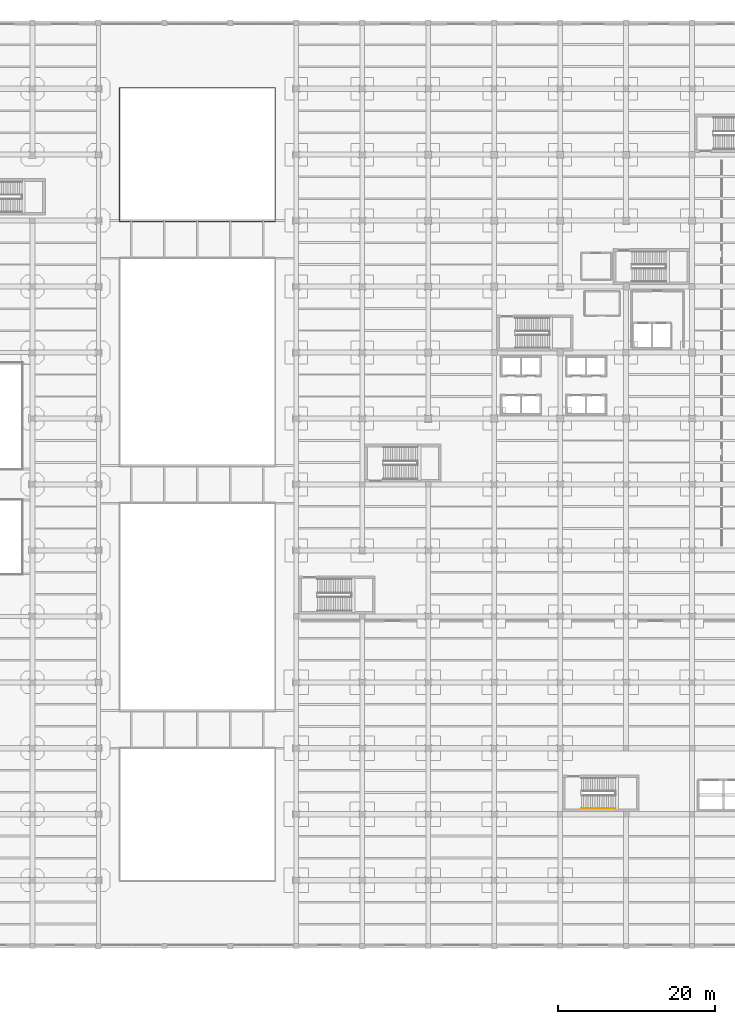
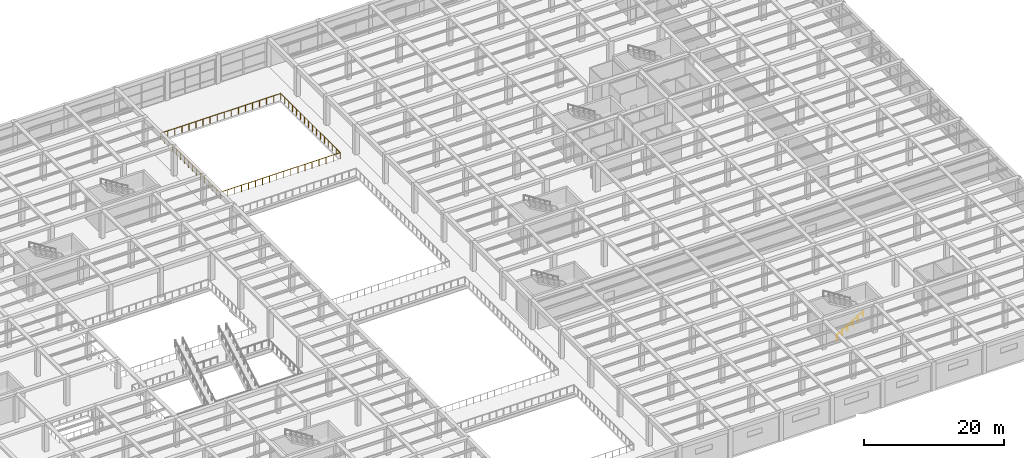
# One storey, part 62 of 65: 2 railings.
"""IFC4 building model written with IfcOpenShell, lengths in metres."""

from ifc_helpers import new_model, si_unit, direction, frame, origin, origin_2d, place, context, subcontext, project, spatial, circle, extrude, material, type_object, element, save


model = new_model("IFC4")

# Units and contexts
model_context = context("Model", 3, precision=1e-05, world=origin(), true_north=direction((0.0, 1.0)))
body_context = subcontext(model_context, "Body", "Model", "MODEL_VIEW")
ifc_project = project(units=[si_unit("LENGTHUNIT", "METRE"), si_unit("AREAUNIT", "SQUARE_METRE"), si_unit("VOLUMEUNIT", "CUBIC_METRE"), si_unit("PLANEANGLEUNIT", "RADIAN"), si_unit("MASSUNIT", "GRAM", prefix="KILO")], contexts=[model_context])

# Site, building, storey
site_placement = place(None, origin())
site = spatial("IfcSite", under=ifc_project, at=site_placement, CompositionType="ELEMENT")
building_placement = place(site_placement, origin())
building = spatial("IfcBuilding", under=site, at=building_placement, Name="Almacenes y Pasaje Nevantli", CompositionType="ELEMENT")
storey_placement = place(building_placement, frame((0.0, 0.0, 16.800048828125)))
storey = spatial("IfcBuildingStorey", under=building, at=storey_placement, Name="L04", CompositionType="ELEMENT", Elevation=16.800048828125)

# Railings
ifc_material_1 = material(Name="Brushed Stainless Steel and Tempered Safety Glass", Category="steel")
railing_type_1 = type_object("IfcRailingType", Name="RL-GUARD-1100", PredefinedType="BALUSTRADE", material=ifc_material_1)
railing_1_placement = place(storey_placement, frame((69.8798828125, 92.280029296875, 0.0)))
element("IfcRailing", 1, at=railing_1_placement, inside=storey, type_object=railing_type_1, Name="L04 Arcade Galleria Void VOID-ARC-4 Guard Balustrade", PredefinedType="BALUSTRADE", context=body_context, shape_type="SweptSolid", body=[
    extrude(circle(Radius=0.02392578125, at=origin_2d()), frame((0.030029296875, 0.0, 1.1259765625), z_axis=(1.0, 0.0, 0.0), x_axis=(0.0, 1.0, 0.0)), (0.0, 0.0, 1.0), 19.780029296875),
    extrude(circle(Radius=0.02392578125, at=origin_2d()), frame((19.840087890625, 0.030029296875, 1.1259765625), z_axis=(0.0, 1.0, 0.0), x_axis=(-1.0, 0.0, 0.0)), (0.0, 0.0, 1.0), 16.97998046875),
    extrude(circle(Radius=0.02392578125, at=origin_2d()), frame((19.81005859375, 17.0400390625, 1.1259765625), z_axis=(-1.0, 0.0, 0.0), x_axis=(0.0, -1.0, 0.0)), (0.0, 0.0, 1.0), 19.780029296875),
    extrude(circle(Radius=0.02392578125, at=origin_2d()), frame((0.0, 17.010009765625, 1.1259765625), z_axis=(0.0, -1.0, 0.0), x_axis=(1.0, 0.0, 0.0)), (0.0, 0.0, 1.0), 16.97998046875),
    extrude(circle(Radius=0.02099609375, at=origin_2d()), origin(), (0.0, 0.0, 1.0), 1.096923828125),
    extrude(circle(Radius=0.02099609375, at=origin_2d()), frame((1.1669921875, 0.0, 0.0)), (0.0, 0.0, 1.0), 1.096923828125),
    extrude(circle(Radius=0.02099609375, at=origin_2d()), frame((2.334228515625, 0.0, 0.0)), (0.0, 0.0, 1.0), 1.096923828125),
    extrude(circle(Radius=0.02099609375, at=origin_2d()), frame((3.501220703125, 0.0, 0.0)), (0.0, 0.0, 1.0), 1.096923828125),
    extrude(circle(Radius=0.02099609375, at=origin_2d()), frame((4.668212890625, 0.0, 0.0)), (0.0, 0.0, 1.0), 1.096923828125),
    extrude(circle(Radius=0.02099609375, at=origin_2d()), frame((5.835205078125, 0.0, 0.0)), (0.0, 0.0, 1.0), 1.096923828125),
    extrude(circle(Radius=0.02099609375, at=origin_2d()), frame((7.00244140625, 0.0, 0.0)), (0.0, 0.0, 1.0), 1.096923828125),
    extrude(circle(Radius=0.02099609375, at=origin_2d()), frame((8.16943359375, 0.0, 0.0)), (0.0, 0.0, 1.0), 1.096923828125),
    extrude(circle(Radius=0.02099609375, at=origin_2d()), frame((9.33642578125, 0.0, 0.0)), (0.0, 0.0, 1.0), 1.096923828125),
    extrude(circle(Radius=0.02099609375, at=origin_2d()), frame((10.503662109375, 0.0, 0.0)), (0.0, 0.0, 1.0), 1.096923828125),
    extrude(circle(Radius=0.02099609375, at=origin_2d()), frame((11.670654296875, 0.0, 0.0)), (0.0, 0.0, 1.0), 1.096923828125),
    extrude(circle(Radius=0.02099609375, at=origin_2d()), frame((12.837646484375, 0.0, 0.0)), (0.0, 0.0, 1.0), 1.096923828125),
    extrude(circle(Radius=0.02099609375, at=origin_2d()), frame((14.0048828125, 0.0, 0.0)), (0.0, 0.0, 1.0), 1.096923828125),
    extrude(circle(Radius=0.02099609375, at=origin_2d()), frame((15.171875, 0.0, 0.0)), (0.0, 0.0, 1.0), 1.096923828125),
    extrude(circle(Radius=0.02099609375, at=origin_2d()), frame((16.3388671875, 0.0, 0.0)), (0.0, 0.0, 1.0), 1.096923828125),
    extrude(circle(Radius=0.02099609375, at=origin_2d()), frame((17.505859375, 0.0, 0.0)), (0.0, 0.0, 1.0), 1.096923828125),
    extrude(circle(Radius=0.02099609375, at=origin_2d()), frame((18.673095703125, 0.0, 0.0)), (0.0, 0.0, 1.0), 1.096923828125),
    extrude(circle(Radius=0.02099609375, at=origin_2d()), frame((19.840087890625, 0.0, 0.0)), (0.0, 0.0, 1.0), 1.096923828125),
    extrude(circle(Radius=0.02099609375, at=origin_2d()), frame((19.840087890625, 1.135986328125, 0.0)), (0.0, 0.0, 1.0), 1.096923828125),
    extrude(circle(Radius=0.02099609375, at=origin_2d()), frame((19.840087890625, 2.27197265625, 0.0)), (0.0, 0.0, 1.0), 1.096923828125),
    extrude(circle(Radius=0.02099609375, at=origin_2d()), frame((19.840087890625, 3.407958984375, 0.0)), (0.0, 0.0, 1.0), 1.096923828125),
    extrude(circle(Radius=0.02099609375, at=origin_2d()), frame((19.840087890625, 4.5439453125, 0.0)), (0.0, 0.0, 1.0), 1.096923828125),
    extrude(circle(Radius=0.02099609375, at=origin_2d()), frame((19.840087890625, 5.679931640625, 0.0)), (0.0, 0.0, 1.0), 1.096923828125),
    extrude(circle(Radius=0.02099609375, at=origin_2d()), frame((19.840087890625, 6.81591796875, 0.0)), (0.0, 0.0, 1.0), 1.096923828125),
    extrude(circle(Radius=0.02099609375, at=origin_2d()), frame((19.840087890625, 7.951904296875, 0.0)), (0.0, 0.0, 1.0), 1.096923828125),
    extrude(circle(Radius=0.02099609375, at=origin_2d()), frame((19.840087890625, 9.088134765625, 0.0)), (0.0, 0.0, 1.0), 1.096923828125),
    extrude(circle(Radius=0.02099609375, at=origin_2d()), frame((19.840087890625, 10.22412109375, 0.0)), (0.0, 0.0, 1.0), 1.096923828125),
    extrude(circle(Radius=0.02099609375, at=origin_2d()), frame((19.840087890625, 11.360107421875, 0.0)), (0.0, 0.0, 1.0), 1.096923828125),
    extrude(circle(Radius=0.02099609375, at=origin_2d()), frame((19.840087890625, 12.49609375, 0.0)), (0.0, 0.0, 1.0), 1.096923828125),
    extrude(circle(Radius=0.02099609375, at=origin_2d()), frame((19.840087890625, 13.632080078125, 0.0)), (0.0, 0.0, 1.0), 1.096923828125),
    extrude(circle(Radius=0.02099609375, at=origin_2d()), frame((19.840087890625, 14.76806640625, 0.0)), (0.0, 0.0, 1.0), 1.096923828125),
    extrude(circle(Radius=0.02099609375, at=origin_2d()), frame((19.840087890625, 15.904052734375, 0.0)), (0.0, 0.0, 1.0), 1.096923828125),
    extrude(circle(Radius=0.02099609375, at=origin_2d()), frame((19.840087890625, 17.0400390625, 0.0)), (0.0, 0.0, 1.0), 1.096923828125),
    extrude(circle(Radius=0.02099609375, at=origin_2d()), frame((18.673095703125, 17.0400390625, 0.0)), (0.0, 0.0, 1.0), 1.096923828125),
    extrude(circle(Radius=0.02099609375, at=origin_2d()), frame((17.505859375, 17.0400390625, 0.0)), (0.0, 0.0, 1.0), 1.096923828125),
    extrude(circle(Radius=0.02099609375, at=origin_2d()), frame((16.3388671875, 17.0400390625, 0.0)), (0.0, 0.0, 1.0), 1.096923828125),
    extrude(circle(Radius=0.02099609375, at=origin_2d()), frame((15.171875, 17.0400390625, 0.0)), (0.0, 0.0, 1.0), 1.096923828125),
    extrude(circle(Radius=0.02099609375, at=origin_2d()), frame((14.0048828125, 17.0400390625, 0.0)), (0.0, 0.0, 1.0), 1.096923828125),
    extrude(circle(Radius=0.02099609375, at=origin_2d()), frame((12.837646484375, 17.0400390625, 0.0)), (0.0, 0.0, 1.0), 1.096923828125),
    extrude(circle(Radius=0.02099609375, at=origin_2d()), frame((11.670654296875, 17.0400390625, 0.0)), (0.0, 0.0, 1.0), 1.096923828125),
    extrude(circle(Radius=0.02099609375, at=origin_2d()), frame((10.503662109375, 17.0400390625, 0.0)), (0.0, 0.0, 1.0), 1.096923828125),
    extrude(circle(Radius=0.02099609375, at=origin_2d()), frame((9.33642578125, 17.0400390625, 0.0)), (0.0, 0.0, 1.0), 1.096923828125),
    extrude(circle(Radius=0.02099609375, at=origin_2d()), frame((8.16943359375, 17.0400390625, 0.0)), (0.0, 0.0, 1.0), 1.096923828125),
    extrude(circle(Radius=0.02099609375, at=origin_2d()), frame((7.00244140625, 17.0400390625, 0.0)), (0.0, 0.0, 1.0), 1.096923828125),
    extrude(circle(Radius=0.02099609375, at=origin_2d()), frame((5.835205078125, 17.0400390625, 0.0)), (0.0, 0.0, 1.0), 1.096923828125),
    extrude(circle(Radius=0.02099609375, at=origin_2d()), frame((4.668212890625, 17.0400390625, 0.0)), (0.0, 0.0, 1.0), 1.096923828125),
    extrude(circle(Radius=0.02099609375, at=origin_2d()), frame((3.501220703125, 17.0400390625, 0.0)), (0.0, 0.0, 1.0), 1.096923828125),
    extrude(circle(Radius=0.02099609375, at=origin_2d()), frame((2.334228515625, 17.0400390625, 0.0)), (0.0, 0.0, 1.0), 1.096923828125),
    extrude(circle(Radius=0.02099609375, at=origin_2d()), frame((1.1669921875, 17.0400390625, 0.0)), (0.0, 0.0, 1.0), 1.096923828125),
    extrude(circle(Radius=0.02099609375, at=origin_2d()), frame((0.0, 17.0400390625, 0.0)), (0.0, 0.0, 1.0), 1.096923828125),
    extrude(circle(Radius=0.02099609375, at=origin_2d()), frame((0.0, 15.904052734375, 0.0)), (0.0, 0.0, 1.0), 1.096923828125),
    extrude(circle(Radius=0.02099609375, at=origin_2d()), frame((0.0, 14.76806640625, 0.0)), (0.0, 0.0, 1.0), 1.096923828125),
    extrude(circle(Radius=0.02099609375, at=origin_2d()), frame((0.0, 13.632080078125, 0.0)), (0.0, 0.0, 1.0), 1.096923828125),
    extrude(circle(Radius=0.02099609375, at=origin_2d()), frame((0.0, 12.49609375, 0.0)), (0.0, 0.0, 1.0), 1.096923828125),
    extrude(circle(Radius=0.02099609375, at=origin_2d()), frame((0.0, 11.360107421875, 0.0)), (0.0, 0.0, 1.0), 1.096923828125),
    extrude(circle(Radius=0.02099609375, at=origin_2d()), frame((0.0, 10.22412109375, 0.0)), (0.0, 0.0, 1.0), 1.096923828125),
    extrude(circle(Radius=0.02099609375, at=origin_2d()), frame((0.0, 9.088134765625, 0.0)), (0.0, 0.0, 1.0), 1.096923828125),
    extrude(circle(Radius=0.02099609375, at=origin_2d()), frame((0.0, 7.951904296875, 0.0)), (0.0, 0.0, 1.0), 1.096923828125),
    extrude(circle(Radius=0.02099609375, at=origin_2d()), frame((0.0, 6.81591796875, 0.0)), (0.0, 0.0, 1.0), 1.096923828125),
    extrude(circle(Radius=0.02099609375, at=origin_2d()), frame((0.0, 5.679931640625, 0.0)), (0.0, 0.0, 1.0), 1.096923828125),
    extrude(circle(Radius=0.02099609375, at=origin_2d()), frame((0.0, 4.5439453125, 0.0)), (0.0, 0.0, 1.0), 1.096923828125),
    extrude(circle(Radius=0.02099609375, at=origin_2d()), frame((0.0, 3.407958984375, 0.0)), (0.0, 0.0, 1.0), 1.096923828125),
    extrude(circle(Radius=0.02099609375, at=origin_2d()), frame((0.0, 2.27197265625, 0.0)), (0.0, 0.0, 1.0), 1.096923828125),
    extrude(circle(Radius=0.02099609375, at=origin_2d()), frame((0.0, 1.135986328125, 0.0)), (0.0, 0.0, 1.0), 1.096923828125),
])
ifc_material_2 = material(Name="Brushed Stainless Steel Tube", Category="steel")
railing_type_2 = type_object("IfcRailingType", Name="RL-HANDRAIL-900", PredefinedType="HANDRAIL", material=ifc_material_2)
railing_2_placement = place(storey_placement, frame((128.699951171875, 17.56005859375, 0.0)))
element("IfcRailing", 2, at=railing_2_placement, inside=storey, type_object=railing_type_2, Name="L04 Stair ST-06 Lower Flight Handrail", PredefinedType="HANDRAIL", context=body_context, shape_type="SweptSolid", body=[
    extrude(circle(Radius=0.02392578125, at=origin_2d()), frame((0.025390625, 0.0, 0.8916015625), z_axis=(0.849649743971, 0.0, 0.527347430608), x_axis=(0.0, 1.0, 0.0)), (0.0, 0.0, 1.0), 5.059814453125),
    extrude(circle(Radius=0.02099609375, at=origin_2d()), origin(), (0.0, 0.0, 1.0), 0.846923828125),
    extrude(circle(Radius=0.02099609375, at=origin_2d()), frame((0.8701171875, 0.0, 0.5400390625)), (0.0, 0.0, 1.0), 0.846923828125),
    extrude(circle(Radius=0.02099609375, at=origin_2d()), frame((1.739990234375, 0.0, 1.080078125)), (0.0, 0.0, 1.0), 0.846923828125),
    extrude(circle(Radius=0.02099609375, at=origin_2d()), frame((2.610107421875, 0.0, 1.619873046875)), (0.0, 0.0, 1.0), 0.846923828125),
    extrude(circle(Radius=0.02099609375, at=origin_2d()), frame((3.47998046875, 0.0, 2.159912109375)), (0.0, 0.0, 1.0), 0.846923828125),
    extrude(circle(Radius=0.02099609375, at=origin_2d()), frame((4.35009765625, 0.0, 2.699951171875)), (0.0, 0.0, 1.0), 0.846923828125),
])

save(model, "model.ifc")
